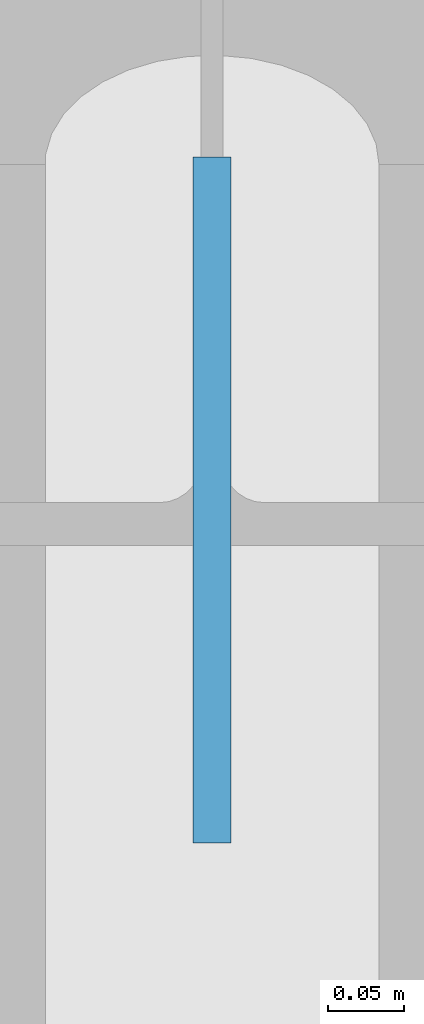
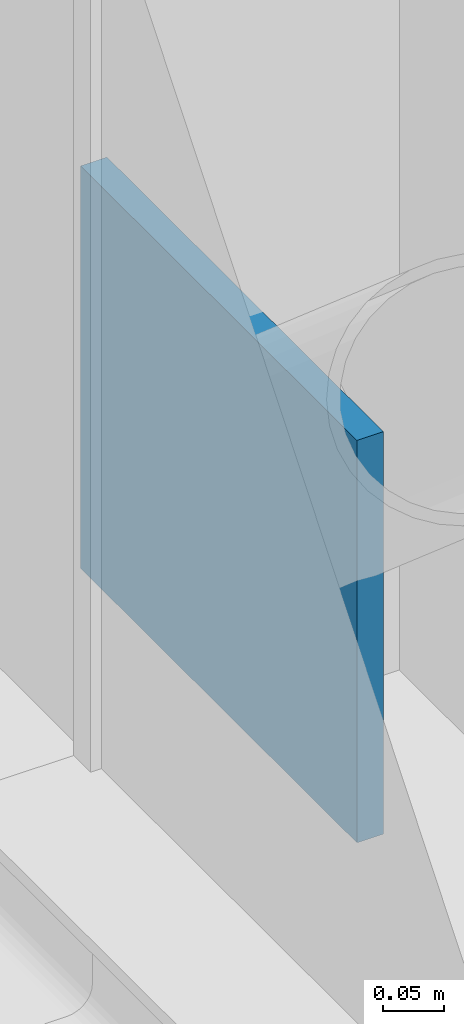
# One storey, part 55 of 69: 1 discrete accessory.
"""IFC4 building model written with IfcOpenShell, lengths in metres."""

from ifc_helpers import new_model, si_unit, direction, frame, origin, origin_2d, place, context, subcontext, project, spatial, rectangle, extrude, material, type_object, element, save


model = new_model("IFC4")

# Units and contexts
model_context = context("Model", 3, precision=1e-05, world=origin(), true_north=direction((0.0, 1.0)))
body_context = subcontext(model_context, "Body", "Model", "MODEL_VIEW")
ifc_project = project(units=[si_unit("LENGTHUNIT", "METRE"), si_unit("AREAUNIT", "SQUARE_METRE"), si_unit("VOLUMEUNIT", "CUBIC_METRE"), si_unit("PLANEANGLEUNIT", "RADIAN"), si_unit("MASSUNIT", "GRAM", prefix="KILO")], contexts=[model_context])

# Site, building, storey
site_placement = place(None, origin())
site = spatial("IfcSite", under=ifc_project, at=site_placement, CompositionType="ELEMENT")
building_placement = place(site_placement, origin())
building = spatial("IfcBuilding", under=site, at=building_placement, Name="Qalvenar Corner Mobility Hub", CompositionType="ELEMENT")
storey_placement = place(building_placement, frame((0.0, 0.0, 13.199951171875)))
storey = spatial("IfcBuildingStorey", under=building, at=storey_placement, Name="L03", CompositionType="ELEMENT", Elevation=13.199951171875)

# Discrete accessory
ifc_material = material(Name="Steel S355", Category="steel")
discrete_accessory_type = type_object("IfcDiscreteAccessoryType", Name="ACC-GUSSET-PLT", PredefinedType="BRACKET", material=ifc_material)
discrete_accessory_placement = place(storey_placement, frame((0.0, 33.3798828125, 0.0), z_axis=(0.0, 0.0, 1.0), x_axis=(0.0, 1.0, 0.0)))
element("IfcDiscreteAccessory", 1, at=discrete_accessory_placement, inside=storey, type_object=discrete_accessory_type, Name="Brace Base Gusset Plate GP-B-027", PredefinedType="BRACKET", context=body_context, shape_type="SweptSolid", body=[
    extrude(rectangle(XDim=0.449951171875, YDim=0.02490234375, at=origin_2d()), origin(), (0.0, 0.0, 1.0), 0.39990234375),
])

save(model, "model.ifc")
